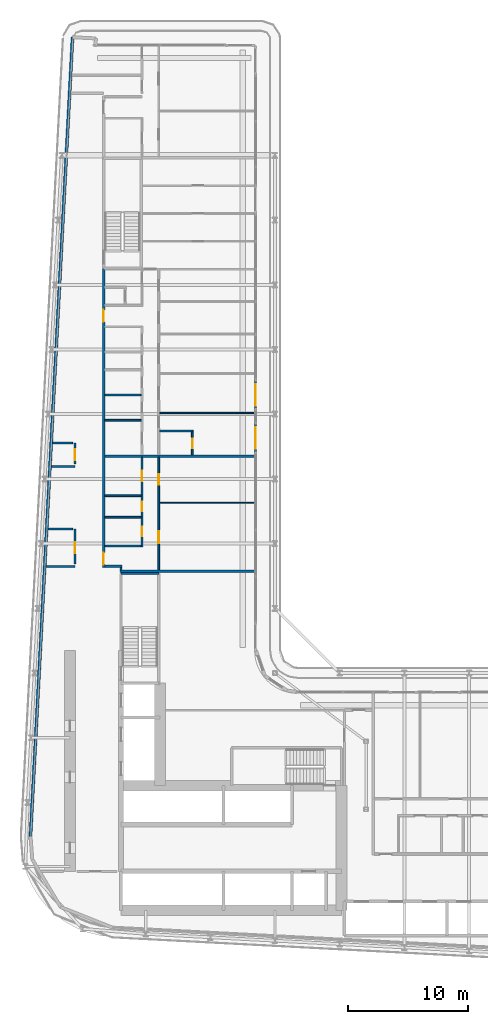
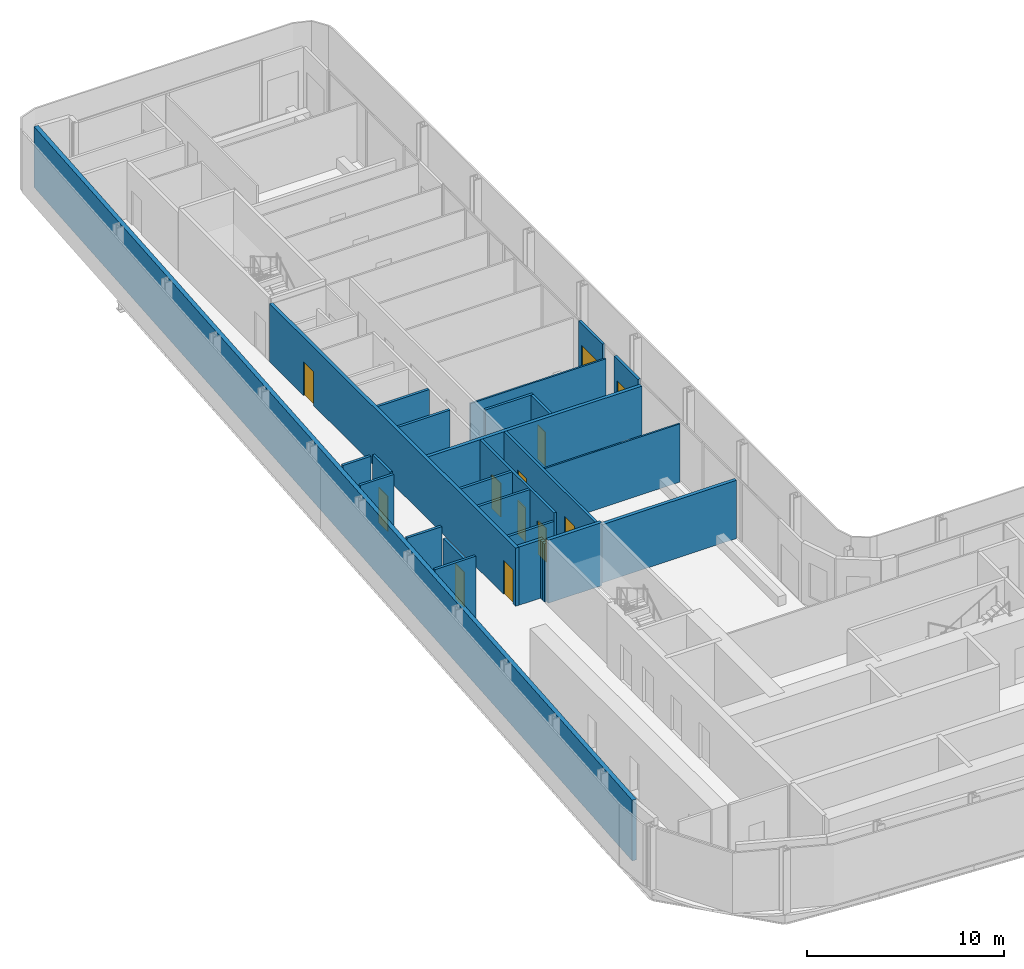
# One storey, part 17 of 28: 26 walls, 12 doors, 12 openings.
"""IFC4 building model written with IfcOpenShell, lengths in metres."""

from ifc_helpers import new_model, si_unit, direction, frame, frame_2d, origin, place, context, subcontext, project, spatial, rectangle, extrude, source, transform, mapped, material, layer, layer_set, type_object, element, fill, save


model = new_model("IFC4")

# Units and contexts
model_context = context("Model", 3, precision=1e-05, world=origin(), true_north=direction((0.0, 1.0)))
body_context = subcontext(model_context, "Body", "Model", "MODEL_VIEW")
ifc_project = project(units=[si_unit("LENGTHUNIT", "METRE"), si_unit("AREAUNIT", "SQUARE_METRE"), si_unit("VOLUMEUNIT", "CUBIC_METRE"), si_unit("PLANEANGLEUNIT", "RADIAN"), si_unit("MASSUNIT", "GRAM", prefix="KILO")], contexts=[model_context])

# Site, building, storey
site_placement = place(None, origin())
site = spatial("IfcSite", under=ifc_project, at=site_placement, CompositionType="ELEMENT")
building_placement = place(site_placement, origin())
building = spatial("IfcBuilding", under=site, at=building_placement, Name="Kheshtan School and Residences Tower", CompositionType="ELEMENT")
storey_placement = place(building_placement, frame((0.0, 0.0, 129.199951171875)))
storey = spatial("IfcBuildingStorey", under=building, at=storey_placement, Name="L30", CompositionType="ELEMENT", Elevation=129.199951171875)

# Wall, openings, doors
ifc_material_1 = material(Name="Gypsum board on steel studs with fire boards", Category="steel")
ifc_layer_1 = layer(ifc_material_1, 0.199951171875)
ifc_layer_set_1 = layer_set([ifc_layer_1], Name="Corridor wall 200")
wall_type_1 = type_object("IfcWallType", Name="Corridor wall 200", PredefinedType="PARTITIONING", material=ifc_layer_set_1)
wall_1_placement = place(storey_placement, frame((33.300048828125, 54.39990234375, 0.0), z_axis=(0.0, 0.0, 1.0), x_axis=(0.0, 1.0, 0.0)))
wall_1 = element("IfcWall", 1, at=wall_1_placement, inside=storey, type_object=wall_type_1, Name="Partition L30-003", PredefinedType="PARTITIONING", context=body_context, shape_type="SweptSolid", body=[
    extrude(rectangle(XDim=24.9501953125, YDim=0.199951171875, at=frame_2d((12.47509765625, 0.0))), origin(), (0.0, 0.0, 1.0), 3.60009765625),
])
opening_1_placement = place(wall_1_placement, frame((0.25, 0.0, 0.0)))
opening_1 = element("IfcOpeningElement", 2, at=opening_1_placement, cuts=wall_1, Name="Opening D29-035", PredefinedType="OPENING", context=body_context, shape_type="SweptSolid", body=[
    extrude(rectangle(XDim=1.0, YDim=2.10009765625, at=frame_2d((0.5, 1.050048828125))), frame((0.0, 0.10986328125, 0.0), z_axis=(0.0, -1.0, 0.0), x_axis=(1.0, 0.0, 0.0)), (0.0, 0.0, 1.0), 0.219970703125),
])
opening_2_placement = place(wall_1_placement, frame((20.5, 0.0, 0.0)))
opening_2 = element("IfcOpeningElement", 3, at=opening_2_placement, cuts=wall_1, Name="Opening D29-045", PredefinedType="OPENING", context=body_context, shape_type="SweptSolid", body=[
    extrude(rectangle(XDim=1.0, YDim=2.10009765625, at=frame_2d((0.5, 1.050048828125))), frame((0.0, 0.10986328125, 0.0), z_axis=(0.0, -1.0, 0.0), x_axis=(1.0, 0.0, 0.0)), (0.0, 0.0, 1.0), 0.219970703125),
])
ifc_material_2 = material(Name="Steel-framed fire-resisting door leaf", Category="steel")
door_type_1 = type_object("IfcDoorType", Name="Fire door FD30S 1000 x 2100", OperationType="SINGLE_SWING_LEFT", PredefinedType="DOOR", material=ifc_material_2)
shared_shape_1 = source(origin(), body_context, "Body", "SweptSolid", [
    extrude(rectangle(XDim=1.0, YDim=2.10009765625, at=frame_2d((0.5, 1.050048828125))), frame((0.0, 0.02490234375, 0.0), z_axis=(0.0, -1.0, 0.0), x_axis=(1.0, 0.0, 0.0)), (0.0, 0.0, 1.0), 0.050048828125),
])
door_1_placement = place(opening_1_placement, origin())
door_1 = element("IfcDoor", 4, at=door_1_placement, inside=storey, type_object=door_type_1, Name="Door D29-035", OperationType="SINGLE_SWING_RIGHT", OverallHeight=2.10009765625, OverallWidth=1.0, PredefinedType="DOOR", context=body_context, shape_type="MappedRepresentation", body=[
    mapped(shared_shape_1, transform((0.0, 0.0, 0.0), x_axis=(1.0, 0.0, 0.0), y_axis=(0.0, 1.0, 0.0), z_axis=(0.0, 0.0, 1.0), scale=1.0)),
])
fill(opening_1, door_1)
door_2_placement = place(opening_2_placement, origin())
door_2 = element("IfcDoor", 5, at=door_2_placement, inside=storey, type_object=door_type_1, Name="Door D29-045", OperationType="SINGLE_SWING_RIGHT", OverallHeight=2.10009765625, OverallWidth=1.0, PredefinedType="DOOR", context=body_context, shape_type="MappedRepresentation", body=[
    mapped(shared_shape_1, transform((0.0, 0.0, 0.0), x_axis=(1.0, 0.0, 0.0), y_axis=(0.0, 1.0, 0.0), z_axis=(0.0, 0.0, 1.0), scale=1.0)),
])
fill(opening_2, door_2)

# Walls
wall_2_placement = place(storey_placement, frame((33.39990234375, 54.5, 0.0), z_axis=(0.0, 0.0, 1.0), x_axis=(1.0, 0.0, 0.0)))
element("IfcWall", 6, at=wall_2_placement, inside=storey, type_object=wall_type_1, Name="Partition L30-005", PredefinedType="PARTITIONING", context=body_context, shape_type="SweptSolid", body=[
    extrude(rectangle(XDim=1.4501953125, YDim=0.199951171875, at=frame_2d((0.72509765625, 0.0))), origin(), (0.0, 0.0, 1.0), 3.60009765625),
])
wall_3_placement = place(storey_placement, frame((34.75, 54.199951171875, 0.0), z_axis=(0.0, 0.0, 1.0), x_axis=(0.0, 1.0, 0.0)))
element("IfcWall", 7, at=wall_3_placement, inside=storey, type_object=wall_type_1, Name="Partition L30-021", PredefinedType="PARTITIONING", context=body_context, shape_type="SweptSolid", body=[
    extrude(rectangle(XDim=0.199951171875, YDim=0.199951171875, at=frame_2d((0.10009765625, 0.0))), origin(), (0.0, 0.0, 1.0), 3.60009765625),
])
ifc_material_3 = material(Name="Concrete C40/50 with ceramic cladding and mineral wool insulation", Category="concrete")
ifc_layer_2 = layer(ifc_material_3, 0.25)
ifc_layer_set_2 = layer_set([ifc_layer_2], Name="External wall 250 ceramic clad")
wall_type_2 = type_object("IfcWallType", Name="External wall 250 ceramic clad", PredefinedType="SOLIDWALL", material=ifc_layer_set_2)
wall_4_placement = place(storey_placement, frame((27.195068359375, 31.968994140625, 0.0), z_axis=(0.0, 0.0, 1.0), x_axis=(0.052554995867, 0.998618031286, 0.0)))
element("IfcWall", 8, at=wall_4_placement, inside=storey, type_object=wall_type_2, Name="External wall L30 4", PredefinedType="SOLIDWALL", context=body_context, shape_type="SweptSolid", body=[
    extrude(rectangle(XDim=66.787353515625, YDim=0.25, at=frame_2d((33.3935546875, 0.0))), origin(), (0.0, 0.0, 1.0), 3.75),
])

# Wall, opening, door
ifc_material_4 = material(Name="Aluminium frame wall with insulated infill", Category="aluminium")
ifc_layer_3 = layer(ifc_material_4, 0.14990234375)
ifc_layer_set_3 = layer_set([ifc_layer_3], Name="Glazing frame wall 150")
wall_type_3 = type_object("IfcWallType", Name="Glazing frame wall 150", PredefinedType="SOLIDWALL", material=ifc_layer_set_3)
wall_5_placement = place(storey_placement, frame((45.97509765625, 70.01806640625, 0.0), z_axis=(0.0, 0.0, 1.0), x_axis=(0.0, -1.0, 0.0)))
wall_5 = element("IfcWall", 9, at=wall_5_placement, inside=storey, type_object=wall_type_3, Name="Balcony door wall L30 8.3", PredefinedType="SOLIDWALL", context=body_context, shape_type="SweptSolid", body=[
    extrude(rectangle(XDim=2.400146484375, YDim=0.14990234375, at=frame_2d((1.2001953125, 0.0))), origin(), (0.0, 0.0, 1.0), 3.75),
])
opening_3_placement = place(wall_5_placement, frame((0.300048828125, 0.0, 0.0)))
opening_3 = element("IfcOpeningElement", 10, at=opening_3_placement, cuts=wall_5, Name="Opening BD", PredefinedType="OPENING", context=body_context, shape_type="SweptSolid", body=[
    extrude(rectangle(XDim=1.800048828125, YDim=2.39990234375, at=frame_2d((0.89990234375, 1.199951171875))), frame((0.0, 0.0849609375, 0.0), z_axis=(0.0, -1.0, 0.0), x_axis=(1.0, 0.0, 0.0)), (0.0, 0.0, 1.0), 0.169921875),
])
ifc_material_5 = material(Name="Clear low-e glass in thermally broken aluminium frame", Category="aluminium")
door_type_2 = type_object("IfcDoorType", Name="Balcony sliding door", OperationType="SLIDING_TO_LEFT", PredefinedType="DOOR", material=ifc_material_5)
shared_shape_2 = source(origin(), body_context, "Body", "SweptSolid", [
    extrude(rectangle(XDim=1.800048828125, YDim=2.39990234375, at=frame_2d((0.89990234375, 1.199951171875))), frame((0.0, 0.02490234375, 0.0), z_axis=(0.0, -1.0, 0.0), x_axis=(1.0, 0.0, 0.0)), (0.0, 0.0, 1.0), 0.050048828125),
])
door_3_placement = place(opening_3_placement, origin())
door_3 = element("IfcDoor", 11, at=door_3_placement, inside=storey, type_object=door_type_2, Name="Balcony door L30 8.3", OperationType="SLIDING_TO_LEFT", OverallHeight=2.39990234375, OverallWidth=1.800048828125, PredefinedType="DOOR", context=body_context, shape_type="MappedRepresentation", body=[
    mapped(shared_shape_2, transform((0.0, 0.0, 0.0), x_axis=(1.0, 0.0, 0.0), y_axis=(0.0, 1.0, 0.0), z_axis=(0.0, 0.0, 1.0), scale=1.0)),
])
fill(opening_3, door_3)

wall_6_placement = place(storey_placement, frame((45.97509765625, 66.41796875, 0.0), z_axis=(0.0, 0.0, 1.0), x_axis=(0.0, -1.0, 0.0)))
wall_6 = element("IfcWall", 12, at=wall_6_placement, inside=storey, type_object=wall_type_3, Name="Balcony door wall L30 8.4", PredefinedType="SOLIDWALL", context=body_context, shape_type="SweptSolid", body=[
    extrude(rectangle(XDim=2.39990234375, YDim=0.14990234375, at=frame_2d((1.199951171875, 0.0))), origin(), (0.0, 0.0, 1.0), 3.75),
])
opening_4_placement = place(wall_6_placement, frame((0.300048828125, 0.0, 0.0)))
opening_4 = element("IfcOpeningElement", 13, at=opening_4_placement, cuts=wall_6, Name="Opening BD", PredefinedType="OPENING", context=body_context, shape_type="SweptSolid", body=[
    extrude(rectangle(XDim=1.800048828125, YDim=2.39990234375, at=frame_2d((0.89990234375, 1.199951171875))), frame((0.0, 0.0849609375, 0.0), z_axis=(0.0, -1.0, 0.0), x_axis=(1.0, 0.0, 0.0)), (0.0, 0.0, 1.0), 0.169921875),
])
door_4_placement = place(opening_4_placement, origin())
door_4 = element("IfcDoor", 14, at=door_4_placement, inside=storey, type_object=door_type_2, Name="Balcony door L30 8.4", OperationType="SLIDING_TO_LEFT", OverallHeight=2.39990234375, OverallWidth=1.800048828125, PredefinedType="DOOR", context=body_context, shape_type="MappedRepresentation", body=[
    mapped(shared_shape_2, transform((0.0, 0.0, 0.0), x_axis=(1.0, 0.0, 0.0), y_axis=(0.0, 1.0, 0.0), z_axis=(0.0, 0.0, 1.0), scale=1.0)),
])
fill(opening_4, door_4)

# Walls
ifc_material_6 = material(Name="Gypsum board on steel studs", Category="steel")
ifc_layer_4 = layer(ifc_material_6, 0.10009765625)
ifc_layer_set_4 = layer_set([ifc_layer_4], Name="Gypsum partition 100")
wall_type_4 = type_object("IfcWallType", Name="Gypsum partition 100", PredefinedType="PARTITIONING", material=ifc_layer_set_4)
wall_7_placement = place(storey_placement, frame((37.97509765625, 59.800048828125, 0.0), z_axis=(0.0, 0.0, 1.0), x_axis=(1.0, 0.0, 0.0)))
element("IfcWall", 15, at=wall_7_placement, inside=storey, type_object=wall_type_4, Name="Partition L30-036", PredefinedType="PARTITIONING", context=body_context, shape_type="SweptSolid", body=[
    extrude(rectangle(XDim=7.9248046875, YDim=0.10009765625, at=frame_2d((3.96240234375, 0.0))), origin(), (0.0, 0.0, 1.0), 3.60009765625),
])
wall_8_placement = place(storey_placement, frame((37.97509765625, 67.300048828125, 0.0), z_axis=(0.0, 0.0, 1.0), x_axis=(1.0, 0.0, 0.0)))
element("IfcWall", 16, at=wall_8_placement, inside=storey, type_object=wall_type_4, Name="Partition L30-038", PredefinedType="PARTITIONING", context=body_context, shape_type="SweptSolid", body=[
    extrude(rectangle(XDim=7.9248046875, YDim=0.10009765625, at=frame_2d((3.96240234375, 0.0))), origin(), (0.0, 0.0, 1.0), 3.072021484375),
])
ifc_material_7 = material(Name="Fire-board shaft wall system")
ifc_layer_5 = layer(ifc_material_7, 0.14990234375)
ifc_layer_set_5 = layer_set([ifc_layer_5], Name="Service room wall 150")
wall_type_5 = type_object("IfcWallType", Name="Service room wall 150", PredefinedType="PARTITIONING", material=ifc_layer_set_5)
wall_9_placement = place(storey_placement, frame((28.508056640625, 54.5, 0.0), z_axis=(0.0, 0.0, 1.0), x_axis=(1.0, 0.0, 0.0)))
element("IfcWall", 17, at=wall_9_placement, inside=storey, type_object=wall_type_5, Name="Service room wall", PredefinedType="PARTITIONING", context=body_context, shape_type="SweptSolid", body=[
    extrude(rectangle(XDim=2.391845703125, YDim=0.14990234375, at=frame_2d((1.19580078125, 0.0))), origin(), (0.0, 0.0, 1.0), 3.900146484375),
])

# Wall, opening, door
wall_10_placement = place(storey_placement, frame((30.89990234375, 54.695068359375, 0.0), z_axis=(0.0, 0.0, 1.0), x_axis=(0.0, 1.0, 0.0)))
wall_10 = element("IfcWall", 18, at=wall_10_placement, inside=storey, type_object=wall_type_5, Name="Service room wall", PredefinedType="PARTITIONING", context=body_context, shape_type="SweptSolid", body=[
    extrude(rectangle(XDim=2.930908203125, YDim=0.14990234375, at=frame_2d((1.46533203125, 0.0))), origin(), (0.0, 0.0, 1.0), 3.072021484375),
])
opening_5_placement = place(wall_10_placement, frame((0.91796875, 0.0, 0.0)))
opening_5 = element("IfcOpeningElement", 19, at=opening_5_placement, cuts=wall_10, Name="Opening SR90", PredefinedType="OPENING", context=body_context, shape_type="SweptSolid", body=[
    extrude(rectangle(XDim=0.89990234375, YDim=2.199951171875, at=frame_2d((0.449951171875, 1.10009765625))), frame((0.0, 0.0849609375, 0.0), z_axis=(0.0, -1.0, 0.0), x_axis=(1.0, 0.0, 0.0)), (0.0, 0.0, 1.0), 0.169921875),
])
ifc_material_8 = material(Name="Steel door leaf, galvanised", Category="steel")
door_type_3 = type_object("IfcDoorType", Name="Service room door 900 steel 90 min", OperationType="SINGLE_SWING_LEFT", PredefinedType="DOOR", material=ifc_material_8)
shared_shape_3 = source(origin(), body_context, "Body", "SweptSolid", [
    extrude(rectangle(XDim=0.89990234375, YDim=2.199951171875, at=frame_2d((0.449951171875, 1.10009765625))), frame((0.0, 0.02490234375, 0.0), z_axis=(0.0, -1.0, 0.0), x_axis=(1.0, 0.0, 0.0)), (0.0, 0.0, 1.0), 0.050048828125),
])
door_5_placement = place(opening_5_placement, origin())
door_5 = element("IfcDoor", 20, at=door_5_placement, inside=storey, type_object=door_type_3, Name="Service room door", OperationType="SINGLE_SWING_LEFT", OverallHeight=2.199951171875, OverallWidth=0.89990234375, PredefinedType="DOOR", context=body_context, shape_type="MappedRepresentation", body=[
    mapped(shared_shape_3, transform((0.0, 0.0, 0.0), x_axis=(1.0, 0.0, 0.0), y_axis=(0.0, 1.0, 0.0), z_axis=(0.0, 0.0, 1.0), scale=1.0)),
])
fill(opening_5, door_5)

# Walls
wall_11_placement = place(storey_placement, frame((28.673095703125, 57.6259765625, 0.0), z_axis=(0.0, 0.0, 1.0), x_axis=(1.0, 0.0, 0.0)))
element("IfcWall", 21, at=wall_11_placement, inside=storey, type_object=wall_type_5, Name="Service room wall", PredefinedType="PARTITIONING", context=body_context, shape_type="SweptSolid", body=[
    extrude(rectangle(XDim=2.031982421875, YDim=0.14990234375, at=frame_2d((1.01611328125, 0.0))), origin(), (0.0, 0.0, 1.0), 3.900146484375),
])
wall_12_placement = place(storey_placement, frame((28.947021484375, 62.8330078125, 0.0), z_axis=(0.0, 0.0, 1.0), x_axis=(1.0, 0.0, 0.0)))
element("IfcWall", 22, at=wall_12_placement, inside=storey, type_object=wall_type_5, Name="Service room wall", PredefinedType="PARTITIONING", context=body_context, shape_type="SweptSolid", body=[
    extrude(rectangle(XDim=1.952880859375, YDim=0.14990234375, at=frame_2d((0.9765625, 0.0))), origin(), (0.0, 0.0, 1.0), 3.900146484375),
])

# Wall, opening, door
wall_13_placement = place(storey_placement, frame((30.89990234375, 63.028076171875, 0.0), z_axis=(0.0, 0.0, 1.0), x_axis=(0.0, 1.0, 0.0)))
wall_13 = element("IfcWall", 23, at=wall_13_placement, inside=storey, type_object=wall_type_5, Name="Service room wall", PredefinedType="PARTITIONING", context=body_context, shape_type="SweptSolid", body=[
    extrude(rectangle(XDim=1.77197265625, YDim=0.14990234375, at=frame_2d((0.885986328125, 0.0))), origin(), (0.0, 0.0, 1.0), 3.900146484375),
])
opening_6_placement = place(wall_13_placement, frame((0.337890625, 0.0, 0.0)))
opening_6 = element("IfcOpeningElement", 24, at=opening_6_placement, cuts=wall_13, Name="Opening SR90", PredefinedType="OPENING", context=body_context, shape_type="SweptSolid", body=[
    extrude(rectangle(XDim=0.89990234375, YDim=2.199951171875, at=frame_2d((0.449951171875, 1.10009765625))), frame((0.0, 0.0849609375, 0.0), z_axis=(0.0, -1.0, 0.0), x_axis=(1.0, 0.0, 0.0)), (0.0, 0.0, 1.0), 0.169921875),
])
door_6_placement = place(opening_6_placement, origin())
door_6 = element("IfcDoor", 25, at=door_6_placement, inside=storey, type_object=door_type_3, Name="Service room door", OperationType="SINGLE_SWING_LEFT", OverallHeight=2.199951171875, OverallWidth=0.89990234375, PredefinedType="DOOR", context=body_context, shape_type="MappedRepresentation", body=[
    mapped(shared_shape_3, transform((0.0, 0.0, 0.0), x_axis=(1.0, 0.0, 0.0), y_axis=(0.0, 1.0, 0.0), z_axis=(0.0, 0.0, 1.0), scale=1.0)),
])
fill(opening_6, door_6)

# Walls
wall_14_placement = place(storey_placement, frame((29.050048828125, 64.800048828125, 0.0), z_axis=(0.0, 0.0, 1.0), x_axis=(1.0, 0.0, 0.0)))
element("IfcWall", 26, at=wall_14_placement, inside=storey, type_object=wall_type_5, Name="Service room wall", PredefinedType="PARTITIONING", context=body_context, shape_type="SweptSolid", body=[
    extrude(rectangle(XDim=1.655029296875, YDim=0.14990234375, at=frame_2d((0.82763671875, 0.0))), origin(), (0.0, 0.0, 1.0), 3.900146484375),
])
ifc_material_9 = material(Name="Concrete C40/50", Category="concrete")
ifc_layer_6 = layer(ifc_material_9, 0.199951171875)
ifc_layer_set_6 = layer_set([ifc_layer_6], Name="Stair enclosure wall 200 Concrete C40/50")
wall_type_6 = type_object("IfcWallType", Name="Stair enclosure wall 200 Concrete C40/50", PredefinedType="SHEAR", material=ifc_layer_set_6)
wall_15_placement = place(storey_placement, frame((34.75, 53.909912109375, 0.0), z_axis=(0.0, 0.0, 1.0), x_axis=(1.0, 0.0, 0.0)))
element("IfcWall", 27, at=wall_15_placement, inside=storey, type_object=wall_type_6, Name="Stair enclosure wall ST2", PredefinedType="SHEAR", context=body_context, shape_type="SweptSolid", body=[
    extrude(rectangle(XDim=3.14990234375, YDim=0.199951171875, at=frame_2d((1.574951171875, 0.0))), origin(), (0.0, 0.0, 1.0), 3.900146484375),
])
ifc_material_10 = material(Name="Twin gypsum board on steel studs with mineral wool", Category="steel")
ifc_layer_7 = layer(ifc_material_10, 0.199951171875)
ifc_layer_set_7 = layer_set([ifc_layer_7], Name="Unit demising wall 200")
wall_type_7 = type_object("IfcWallType", Name="Unit demising wall 200", PredefinedType="PARTITIONING", material=ifc_layer_set_7)
wall_16_placement = place(storey_placement, frame((33.39990234375, 63.699951171875, 0.0), z_axis=(0.0, 0.0, 1.0), x_axis=(1.0, 0.0, 0.0)))
element("IfcWall", 28, at=wall_16_placement, inside=storey, type_object=wall_type_7, Name="Partition L30-009", PredefinedType="PARTITIONING", context=body_context, shape_type="SweptSolid", body=[
    extrude(rectangle(XDim=12.5, YDim=0.199951171875, at=frame_2d((6.25, 0.0))), origin(), (0.0, 0.0, 1.0), 3.60009765625),
])
wall_17_placement = place(storey_placement, frame((34.64990234375, 54.10009765625, 0.0), z_axis=(0.0, 0.0, 1.0), x_axis=(1.0, 0.0, 0.0)))
element("IfcWall", 29, at=wall_17_placement, inside=storey, type_object=wall_type_7, Name="Partition L30-020", PredefinedType="PARTITIONING", context=body_context, shape_type="SweptSolid", body=[
    extrude(rectangle(XDim=11.25, YDim=0.199951171875, at=frame_2d((5.625, 0.0))), origin(), (0.0, 0.0, 1.0), 3.60009765625),
])
ifc_material_11 = material(Name="Moisture-resistant gypsum board on steel studs", Category="steel")
ifc_layer_8 = layer(ifc_material_11, 0.14990234375)
ifc_layer_set_8 = layer_set([ifc_layer_8], Name="Wet-room partition 150")
wall_type_8 = type_object("IfcWallType", Name="Wet-room partition 150", PredefinedType="PARTITIONING", material=ifc_layer_set_8)
wall_18_placement = place(storey_placement, frame((33.39990234375, 56.199951171875, 0.0), z_axis=(0.0, 0.0, 1.0), x_axis=(1.0, 0.0, 0.0)))
element("IfcWall", 30, at=wall_18_placement, inside=storey, type_object=wall_type_8, Name="Partition L30-006", PredefinedType="PARTITIONING", context=body_context, shape_type="SweptSolid", body=[
    extrude(rectangle(XDim=3.025146484375, YDim=0.14990234375, at=frame_2d((1.5126953125, 0.0))), origin(), (0.0, 0.0, 1.0), 3.072021484375),
])
for number, where, z_axis, x_axis, name in (
    (31, (33.39990234375, 58.60009765625, 0.0), (0.0, 0.0, 1.0), (1.0, 0.0, 0.0), "Partition L30-007"),
    (32, (33.39990234375, 60.39990234375, 0.0), (0.0, 0.0, 1.0), (1.0, 0.0, 0.0), "Partition L30-008"),
    (33, (33.39990234375, 66.699951171875, 0.0), (0.0, 0.0, 1.0), (1.0, 0.0, 0.0), "Partition L30-010"),
    (34, (33.39990234375, 68.800048828125, 0.0), (0.0, 0.0, 1.0), (1.0, 0.0, 0.0), "Partition L30-011"),
):
    element("IfcWall", number, at=place(storey_placement, frame(where, z_axis=z_axis, x_axis=x_axis)), inside=storey, type_object=wall_type_8, Name=name, PredefinedType="PARTITIONING", context=body_context, shape_type="SweptSolid", body=[
        extrude(rectangle(XDim=3.025146484375, YDim=0.14990234375, at=frame_2d((1.5126953125, 0.0))), origin(), (0.0, 0.0, 1.0), 3.60009765625),
    ])

# Wall, openings, doors
wall_19_placement = place(storey_placement, frame((36.5, 56.125, 0.0), z_axis=(0.0, 0.0, 1.0), x_axis=(0.0, 1.0, 0.0)))
wall_19 = element("IfcWall", 35, at=wall_19_placement, inside=storey, type_object=wall_type_8, Name="Partition L30-024", PredefinedType="PARTITIONING", context=body_context, shape_type="SweptSolid", body=[
    extrude(rectangle(XDim=7.47509765625, YDim=0.14990234375, at=frame_2d((3.737548828125, 0.0))), origin(), (0.0, 0.0, 1.0), 3.60009765625),
])
opening_7_placement = place(wall_19_placement, frame((0.875, 0.0, 0.0)))
opening_7 = element("IfcOpeningElement", 36, at=opening_7_placement, cuts=wall_19, Name="Opening D29-033", PredefinedType="OPENING", context=body_context, shape_type="SweptSolid", body=[
    extrude(rectangle(XDim=0.800048828125, YDim=2.10009765625, at=frame_2d((0.39990234375, 1.050048828125))), frame((0.0, 0.0849609375, 0.0), z_axis=(0.0, -1.0, 0.0), x_axis=(1.0, 0.0, 0.0)), (0.0, 0.0, 1.0), 0.169921875),
])
opening_8_placement = place(wall_19_placement, frame((5.47509765625, 0.0, 0.0)))
opening_8 = element("IfcOpeningElement", 37, at=opening_8_placement, cuts=wall_19, Name="Opening D29-036", PredefinedType="OPENING", context=body_context, shape_type="SweptSolid", body=[
    extrude(rectangle(XDim=0.89990234375, YDim=2.10009765625, at=frame_2d((0.449951171875, 1.050048828125))), frame((0.0, 0.0849609375, 0.0), z_axis=(0.0, -1.0, 0.0), x_axis=(1.0, 0.0, 0.0)), (0.0, 0.0, 1.0), 0.169921875),
])
opening_9_placement = place(wall_19_placement, frame((2.97509765625, 0.0, 0.0)))
opening_9 = element("IfcOpeningElement", 38, at=opening_9_placement, cuts=wall_19, Name="Opening D29-038", PredefinedType="OPENING", context=body_context, shape_type="SweptSolid", body=[
    extrude(rectangle(XDim=0.800048828125, YDim=2.10009765625, at=frame_2d((0.39990234375, 1.050048828125))), frame((0.0, 0.0849609375, 0.0), z_axis=(0.0, -1.0, 0.0), x_axis=(1.0, 0.0, 0.0)), (0.0, 0.0, 1.0), 0.169921875),
])
ifc_material_12 = material(Name="Veneered timber door leaf", Category="wood")
door_type_4 = type_object("IfcDoorType", Name="Door 800 x 2100", OperationType="SINGLE_SWING_LEFT", PredefinedType="DOOR", material=ifc_material_12)
shared_shape_4 = source(origin(), body_context, "Body", "SweptSolid", [
    extrude(rectangle(XDim=0.800048828125, YDim=2.10009765625, at=frame_2d((0.39990234375, 1.050048828125))), frame((0.0, 0.02490234375, 0.0), z_axis=(0.0, -1.0, 0.0), x_axis=(1.0, 0.0, 0.0)), (0.0, 0.0, 1.0), 0.050048828125),
])
door_7_placement = place(opening_7_placement, origin())
door_7 = element("IfcDoor", 39, at=door_7_placement, inside=storey, type_object=door_type_4, Name="Door D29-033", OperationType="SINGLE_SWING_LEFT", OverallHeight=2.10009765625, OverallWidth=0.800048828125, PredefinedType="DOOR", context=body_context, shape_type="MappedRepresentation", body=[
    mapped(shared_shape_4, transform((0.0, 0.0, 0.0), x_axis=(1.0, 0.0, 0.0), y_axis=(0.0, 1.0, 0.0), z_axis=(0.0, 0.0, 1.0), scale=1.0)),
])
fill(opening_7, door_7)
door_8_placement = place(opening_9_placement, origin())
door_8 = element("IfcDoor", 40, at=door_8_placement, inside=storey, type_object=door_type_4, Name="Door D29-038", OperationType="SINGLE_SWING_RIGHT", OverallHeight=2.10009765625, OverallWidth=0.800048828125, PredefinedType="DOOR", context=body_context, shape_type="MappedRepresentation", body=[
    mapped(shared_shape_4, transform((0.0, 0.0, 0.0), x_axis=(1.0, 0.0, 0.0), y_axis=(0.0, 1.0, 0.0), z_axis=(0.0, 0.0, 1.0), scale=1.0)),
])
fill(opening_9, door_8)
door_type_5 = type_object("IfcDoorType", Name="Door 900 x 2100", OperationType="SINGLE_SWING_LEFT", PredefinedType="DOOR", material=ifc_material_12)
shared_shape_5 = source(origin(), body_context, "Body", "SweptSolid", [
    extrude(rectangle(XDim=0.89990234375, YDim=2.10009765625, at=frame_2d((0.449951171875, 1.050048828125))), frame((0.0, 0.02490234375, 0.0), z_axis=(0.0, -1.0, 0.0), x_axis=(1.0, 0.0, 0.0)), (0.0, 0.0, 1.0), 0.050048828125),
])
door_9_placement = place(opening_8_placement, origin())
door_9 = element("IfcDoor", 41, at=door_9_placement, inside=storey, type_object=door_type_5, Name="Door D29-036", OperationType="SINGLE_SWING_LEFT", OverallHeight=2.10009765625, OverallWidth=0.89990234375, PredefinedType="DOOR", context=body_context, shape_type="MappedRepresentation", body=[
    mapped(shared_shape_5, transform((0.0, 0.0, 0.0), x_axis=(1.0, 0.0, 0.0), y_axis=(0.0, 1.0, 0.0), z_axis=(0.0, 0.0, 1.0), scale=1.0)),
])
fill(opening_8, door_9)

wall_20_placement = place(storey_placement, frame((37.89990234375, 54.199951171875, 0.0), z_axis=(0.0, 0.0, 1.0), x_axis=(0.0, 1.0, 0.0)))
wall_20 = element("IfcWall", 42, at=wall_20_placement, inside=storey, type_object=wall_type_8, Name="Partition L30-032", PredefinedType="PARTITIONING", context=body_context, shape_type="SweptSolid", body=[
    extrude(rectangle(XDim=9.400146484375, YDim=0.14990234375, at=frame_2d((4.7001953125, 0.0))), origin(), (0.0, 0.0, 1.0), 3.60009765625),
])
opening_10_placement = place(wall_20_placement, frame((7.10009765625, 0.0, 0.0)))
opening_10 = element("IfcOpeningElement", 43, at=opening_10_placement, cuts=wall_20, Name="Opening D29-034", PredefinedType="OPENING", context=body_context, shape_type="SweptSolid", body=[
    extrude(rectangle(XDim=0.89990234375, YDim=2.10009765625, at=frame_2d((0.449951171875, 1.050048828125))), frame((0.0, 0.0849609375, 0.0), z_axis=(0.0, -1.0, 0.0), x_axis=(1.0, 0.0, 0.0)), (0.0, 0.0, 1.0), 0.169921875),
])
opening_11_placement = place(wall_20_placement, frame((2.25, 0.0, 0.0)))
opening_11 = element("IfcOpeningElement", 44, at=opening_11_placement, cuts=wall_20, Name="Opening D29-037", PredefinedType="OPENING", context=body_context, shape_type="SweptSolid", body=[
    extrude(rectangle(XDim=1.0, YDim=2.10009765625, at=frame_2d((0.5, 1.050048828125))), frame((0.0, 0.0849609375, 0.0), z_axis=(0.0, -1.0, 0.0), x_axis=(1.0, 0.0, 0.0)), (0.0, 0.0, 1.0), 0.169921875),
])
door_type_6 = type_object("IfcDoorType", Name="Door 1000 x 2100", OperationType="SINGLE_SWING_LEFT", PredefinedType="DOOR", material=ifc_material_12)
shared_shape_6 = source(origin(), body_context, "Body", "SweptSolid", [
    extrude(rectangle(XDim=1.0, YDim=2.10009765625, at=frame_2d((0.5, 1.050048828125))), frame((0.0, 0.02490234375, 0.0), z_axis=(0.0, -1.0, 0.0), x_axis=(1.0, 0.0, 0.0)), (0.0, 0.0, 1.0), 0.050048828125),
])
door_10_placement = place(opening_11_placement, origin())
door_10 = element("IfcDoor", 45, at=door_10_placement, inside=storey, type_object=door_type_6, Name="Door D29-037", OperationType="SINGLE_SWING_RIGHT", OverallHeight=2.10009765625, OverallWidth=1.0, PredefinedType="DOOR", context=body_context, shape_type="MappedRepresentation", body=[
    mapped(shared_shape_6, transform((0.0, 0.0, 0.0), x_axis=(1.0, 0.0, 0.0), y_axis=(0.0, 1.0, 0.0), z_axis=(0.0, 0.0, 1.0), scale=1.0)),
])
fill(opening_11, door_10)
door_11_placement = place(opening_10_placement, origin())
door_11 = element("IfcDoor", 46, at=door_11_placement, inside=storey, type_object=door_type_5, Name="Door D29-034", OperationType="SINGLE_SWING_RIGHT", OverallHeight=2.10009765625, OverallWidth=0.89990234375, PredefinedType="DOOR", context=body_context, shape_type="MappedRepresentation", body=[
    mapped(shared_shape_5, transform((0.0, 0.0, 0.0), x_axis=(1.0, 0.0, 0.0), y_axis=(0.0, 1.0, 0.0), z_axis=(0.0, 0.0, 1.0), scale=1.0)),
])
fill(opening_10, door_11)

# Wall
wall_21_placement = place(storey_placement, frame((37.97509765625, 65.800048828125, 0.0), z_axis=(0.0, 0.0, 1.0), x_axis=(1.0, 0.0, 0.0)))
element("IfcWall", 47, at=wall_21_placement, inside=storey, type_object=wall_type_8, Name="Partition L30-037", PredefinedType="PARTITIONING", context=body_context, shape_type="SweptSolid", body=[
    extrude(rectangle(XDim=2.7998046875, YDim=0.14990234375, at=frame_2d((1.39990234375, 0.0))), origin(), (0.0, 0.0, 1.0), 3.60009765625),
])

# Wall, opening, door
wall_22_placement = place(storey_placement, frame((40.699951171875, 63.800048828125, 0.0), z_axis=(0.0, 0.0, 1.0), x_axis=(0.0, 1.0, 0.0)))
wall_22 = element("IfcWall", 48, at=wall_22_placement, inside=storey, type_object=wall_type_8, Name="Partition L30-043", PredefinedType="PARTITIONING", context=body_context, shape_type="SweptSolid", body=[
    extrude(rectangle(XDim=1.925048828125, YDim=0.14990234375, at=frame_2d((0.96240234375, 0.0))), origin(), (0.0, 0.0, 1.0), 3.60009765625),
])
opening_12_placement = place(wall_22_placement, frame((0.550048828125, 0.0, 0.0)))
opening_12 = element("IfcOpeningElement", 49, at=opening_12_placement, cuts=wall_22, Name="Opening D29-044", PredefinedType="OPENING", context=body_context, shape_type="SweptSolid", body=[
    extrude(rectangle(XDim=0.800048828125, YDim=2.10009765625, at=frame_2d((0.39990234375, 1.050048828125))), frame((0.0, 0.0849609375, 0.0), z_axis=(0.0, -1.0, 0.0), x_axis=(1.0, 0.0, 0.0)), (0.0, 0.0, 1.0), 0.169921875),
])
door_12_placement = place(opening_12_placement, origin())
door_12 = element("IfcDoor", 50, at=door_12_placement, inside=storey, type_object=door_type_4, Name="Door D29-044", OperationType="SINGLE_SWING_RIGHT", OverallHeight=2.10009765625, OverallWidth=0.800048828125, PredefinedType="DOOR", context=body_context, shape_type="MappedRepresentation", body=[
    mapped(shared_shape_4, transform((0.0, 0.0, 0.0), x_axis=(1.0, 0.0, 0.0), y_axis=(0.0, 1.0, 0.0), z_axis=(0.0, 0.0, 1.0), scale=1.0)),
])
fill(opening_12, door_12)

save(model, "model.ifc")
